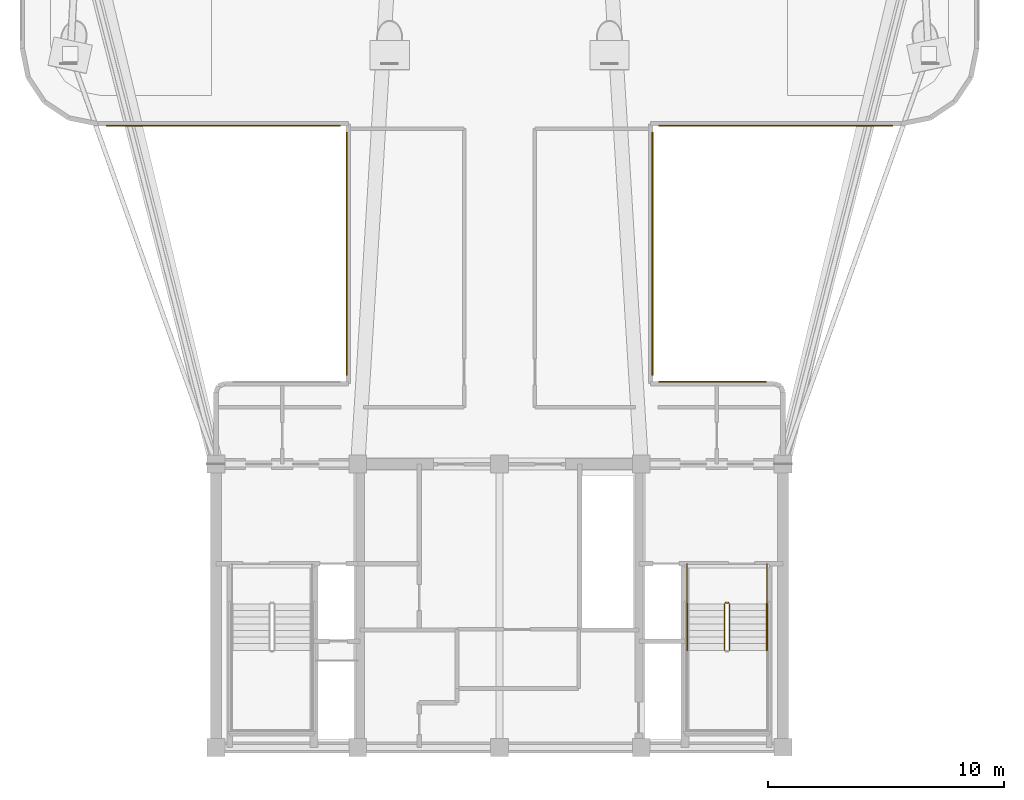
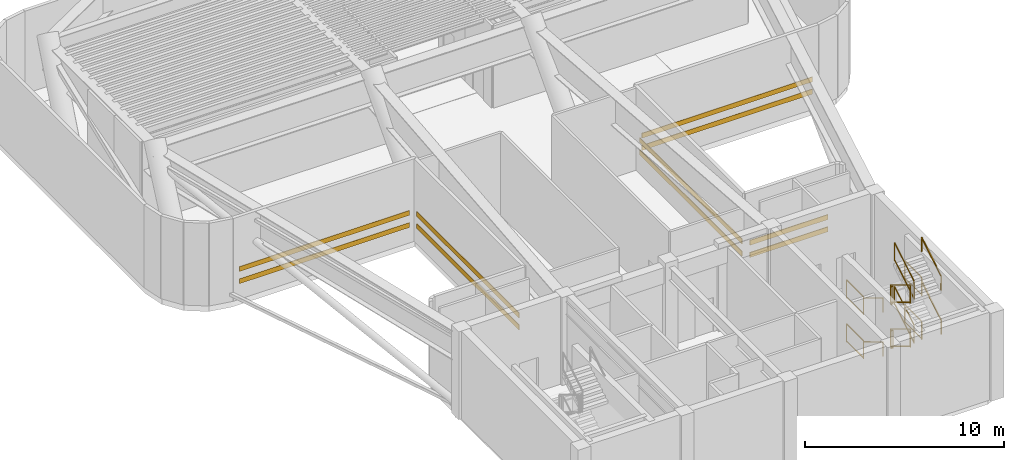
# One storey, part 10 of 11: 14 railings, 10 shading devices.
"""IFC4 building model written with IfcOpenShell, lengths in metres."""

from ifc_helpers import new_model, si_unit, direction, frame, origin, origin_2d, place, context, subcontext, project, spatial, rectangle, extrude, source, transform, mapped, material, layer, layer_set, material_profile, profile_set, type_object, element, save


model = new_model("IFC4")

# Units and contexts
model_context = context("Model", 3, precision=1e-05, world=origin(), true_north=direction((0.0, 1.0)))
body_context = subcontext(model_context, "Body", "Model", "MODEL_VIEW")
ifc_project = project(units=[si_unit("LENGTHUNIT", "METRE"), si_unit("AREAUNIT", "SQUARE_METRE"), si_unit("VOLUMEUNIT", "CUBIC_METRE"), si_unit("PLANEANGLEUNIT", "RADIAN"), si_unit("MASSUNIT", "GRAM", prefix="KILO")], contexts=[model_context])

# Site, building, storey
site_placement = place(None, origin())
site = spatial("IfcSite", under=ifc_project, at=site_placement, CompositionType="ELEMENT")
building_placement = place(site_placement, origin())
building = spatial("IfcBuilding", under=site, at=building_placement, Name="Brelvock Crest Care Tower", CompositionType="ELEMENT")
storey_placement = place(building_placement, frame((0.0, 0.0, 213.1201171875)))
storey = spatial("IfcBuildingStorey", under=building, at=storey_placement, Name="L54", CompositionType="ELEMENT", Elevation=213.1201171875)

# Railings
ifc_material_1 = material(Name="Steel Grade 350", Category="steel")
ifc_layer_1 = layer(ifc_material_1, 0.050048828125, Name="RL-STG1")
ifc_layer_set_1 = layer_set([ifc_layer_1], Name="Steel Grade 350")
railing_type_1 = type_object("IfcRailingType", Name="RL-STG1", PredefinedType="GUARDRAIL", material=ifc_layer_set_1)
railing_1_placement = place(storey_placement, frame((45.52001953125, 12.080078125, 0.168701171875)))
element("IfcRailing", 1, at=railing_1_placement, inside=storey, type_object=railing_type_1, Name="L54 ST-2 stair guard 1", PredefinedType="GUARDRAIL", context=body_context, shape_type="SweptSolid", body=[
    extrude(rectangle(XDim=0.048095703125, YDim=0.048095703125, at=origin_2d()), frame((0.0, -0.001708984375, 1.116943359375), z_axis=(0.0, -0.856493463811, 0.516157869696), x_axis=(1.0, 0.0, 0.0)), (0.0, 0.0, 1.0), 2.284423828125),
    extrude(rectangle(XDim=0.048095703125, YDim=0.048095703125, at=origin_2d()), frame((0.0, -0.001708984375, 0.05615234375), z_axis=(0.0, -0.856493463811, 0.516157869696), x_axis=(1.0, 0.0, 0.0)), (0.0, 0.0, 1.0), 2.284423828125),
    extrude(rectangle(XDim=0.0419921875, YDim=0.0419921875, at=origin_2d()), origin(), (0.0, 0.0, 1.0), 1.08984375),
    extrude(rectangle(XDim=0.0419921875, YDim=0.0419921875, at=origin_2d()), frame((0.0, -1.9599609375, 1.18115234375)), (0.0, 0.0, 1.0), 1.08984375),
])
railing_2_placement = place(storey_placement, frame((45.739990234375, 10.1201171875, 1.5185546875)))
element("IfcRailing", 2, at=railing_2_placement, inside=storey, type_object=railing_type_1, Name="L54 ST-2 stair guard 6", PredefinedType="GUARDRAIL", context=body_context, shape_type="SweptSolid", body=[
    extrude(rectangle(XDim=0.048095703125, YDim=0.048095703125, at=origin_2d()), frame((0.0, 0.001708984375, 1.116943359375), z_axis=(0.0, 0.856446297458, 0.516236127728), x_axis=(-1.0, 0.0, 0.0)), (0.0, 0.0, 1.0), 2.284423828125),
    extrude(rectangle(XDim=0.048095703125, YDim=0.048095703125, at=origin_2d()), frame((0.0, 0.001708984375, 0.05615234375), z_axis=(0.0, 0.856446297458, 0.516236127728), x_axis=(-1.0, 0.0, 0.0)), (0.0, 0.0, 1.0), 2.284423828125),
    extrude(rectangle(XDim=0.0419921875, YDim=0.0419921875, at=origin_2d()), origin(), (0.0, 0.0, 1.0), 1.08984375),
    extrude(rectangle(XDim=0.0419921875, YDim=0.0419921875, at=origin_2d()), frame((0.0, 1.9599609375, 1.181396484375)), (0.0, 0.0, 1.0), 1.08984375),
])
railing_3_placement = place(storey_placement, frame((45.570068359375, 12.1298828125, 2.699951171875)))
element("IfcRailing", 3, at=railing_3_placement, inside=storey, type_object=railing_type_1, Name="L54 ST-2 stair guard 7", PredefinedType="GUARDRAIL", context=body_context, shape_type="SweptSolid", body=[
    extrude(rectangle(XDim=0.048095703125, YDim=0.048095703125, at=origin_2d()), frame((0.001953125, 0.0, 1.11572265625), z_axis=(1.0, 0.0, 0.0), x_axis=(0.0, 1.0, 0.0)), (0.0, 0.0, 1.0), 0.115966796875),
    extrude(rectangle(XDim=0.048095703125, YDim=0.048095703125, at=origin_2d()), frame((0.001953125, 0.0, 0.054931640625), z_axis=(1.0, 0.0, 0.0), x_axis=(0.0, 1.0, 0.0)), (0.0, 0.0, 1.0), 0.115966796875),
    extrude(rectangle(XDim=0.0419921875, YDim=0.0419921875, at=origin_2d()), origin(), (0.0, 0.0, 1.0), 1.08984375),
    extrude(rectangle(XDim=0.0419921875, YDim=0.0419921875, at=origin_2d()), frame((0.119873046875, 0.0, 0.0)), (0.0, 0.0, 1.0), 1.08984375),
])
for number, where, name in (
    (4, (43.93994140625, 13.780029296875, 2.699951171875), "L54 ST-2 stair guard 8"),
    (5, (47.320068359375, 13.780029296875, 2.699951171875), "L54 ST-2 stair guard 9"),
):
    element("IfcRailing", number, at=place(storey_placement, frame(where)), inside=storey, type_object=railing_type_1, Name=name, PredefinedType="GUARDRAIL", context=body_context, shape_type="SweptSolid", body=[
        extrude(rectangle(XDim=0.048095703125, YDim=0.048095703125, at=origin_2d()), frame((0.0, -0.001953125, 1.11572265625), z_axis=(0.0, -1.0, 0.0), x_axis=(1.0, 0.0, 0.0)), (0.0, 0.0, 1.0), 1.696044921875),
        extrude(rectangle(XDim=0.048095703125, YDim=0.048095703125, at=origin_2d()), frame((0.0, -0.001953125, 0.054931640625), z_axis=(0.0, -1.0, 0.0), x_axis=(1.0, 0.0, 0.0)), (0.0, 0.0, 1.0), 1.696044921875),
        extrude(rectangle(XDim=0.0419921875, YDim=0.0419921875, at=origin_2d()), origin(), (0.0, 0.0, 1.0), 1.08984375),
        extrude(rectangle(XDim=0.0419921875, YDim=0.0419921875, at=origin_2d()), frame((0.0, -1.699951171875, 0.0)), (0.0, 0.0, 1.0), 1.08984375),
    ])
railing_4_placement = place(storey_placement, frame((45.52001953125, 12.080078125, 2.86865234375)))
element("IfcRailing", 6, at=railing_4_placement, inside=storey, type_object=railing_type_1, Name="L54 ST-2 stair guard 10", PredefinedType="GUARDRAIL", context=body_context, shape_type="SweptSolid", body=[
    extrude(rectangle(XDim=0.048095703125, YDim=0.048095703125, at=origin_2d()), frame((0.0, -0.001708984375, 1.116943359375), z_axis=(0.0, -0.856493463811, 0.516157869696), x_axis=(1.0, 0.0, 0.0)), (0.0, 0.0, 1.0), 2.284423828125),
    extrude(rectangle(XDim=0.048095703125, YDim=0.048095703125, at=origin_2d()), frame((0.0, -0.001708984375, 0.05615234375), z_axis=(0.0, -0.856493463811, 0.516157869696), x_axis=(1.0, 0.0, 0.0)), (0.0, 0.0, 1.0), 2.284423828125),
    extrude(rectangle(XDim=0.0419921875, YDim=0.0419921875, at=origin_2d()), origin(), (0.0, 0.0, 1.0), 1.08984375),
    extrude(rectangle(XDim=0.0419921875, YDim=0.0419921875, at=origin_2d()), frame((0.0, -1.9599609375, 1.18115234375)), (0.0, 0.0, 1.0), 1.08984375),
])
railing_5_placement = place(storey_placement, frame((45.739990234375, 10.1201171875, 4.21875)))
element("IfcRailing", 7, at=railing_5_placement, inside=storey, type_object=railing_type_1, Name="L54 ST-2 stair guard 15", PredefinedType="GUARDRAIL", context=body_context, shape_type="SweptSolid", body=[
    extrude(rectangle(XDim=0.048095703125, YDim=0.048095703125, at=origin_2d()), frame((0.0, 0.001708984375, 1.116943359375), z_axis=(0.0, 0.856493463811, 0.516157869696), x_axis=(-1.0, 0.0, 0.0)), (0.0, 0.0, 1.0), 2.284423828125),
    extrude(rectangle(XDim=0.048095703125, YDim=0.048095703125, at=origin_2d()), frame((0.0, 0.001708984375, 0.05615234375), z_axis=(0.0, 0.856493463811, 0.516157869696), x_axis=(-1.0, 0.0, 0.0)), (0.0, 0.0, 1.0), 2.284423828125),
    extrude(rectangle(XDim=0.0419921875, YDim=0.0419921875, at=origin_2d()), origin(), (0.0, 0.0, 1.0), 1.08984375),
    extrude(rectangle(XDim=0.0419921875, YDim=0.0419921875, at=origin_2d()), frame((0.0, 1.9599609375, 1.18115234375)), (0.0, 0.0, 1.0), 1.08984375),
])
railing_6_placement = place(storey_placement, frame((45.570068359375, 12.1298828125, 0.0)))
element("IfcRailing", 8, at=railing_6_placement, inside=storey, type_object=railing_type_1, Name="L54 ST-2 stair guard 16", PredefinedType="GUARDRAIL", context=body_context, shape_type="SweptSolid", body=[
    extrude(rectangle(XDim=0.048095703125, YDim=0.048095703125, at=origin_2d()), frame((0.001953125, 0.0, 1.11572265625), z_axis=(1.0, 0.0, 0.0), x_axis=(0.0, 1.0, 0.0)), (0.0, 0.0, 1.0), 0.115966796875),
    extrude(rectangle(XDim=0.048095703125, YDim=0.048095703125, at=origin_2d()), frame((0.001953125, 0.0, 0.054931640625), z_axis=(1.0, 0.0, 0.0), x_axis=(0.0, 1.0, 0.0)), (0.0, 0.0, 1.0), 0.115966796875),
    extrude(rectangle(XDim=0.0419921875, YDim=0.0419921875, at=origin_2d()), origin(), (0.0, 0.0, 1.0), 1.08984375),
    extrude(rectangle(XDim=0.0419921875, YDim=0.0419921875, at=origin_2d()), frame((0.119873046875, 0.0, 0.0)), (0.0, 0.0, 1.0), 1.08984375),
])
for number, where, name in (
    (9, (43.93994140625, 13.780029296875, 0.0), "L54 ST-2 stair guard 17"),
    (10, (47.320068359375, 13.780029296875, 0.0), "L54 ST-2 stair guard 18"),
):
    element("IfcRailing", number, at=place(storey_placement, frame(where)), inside=storey, type_object=railing_type_1, Name=name, PredefinedType="GUARDRAIL", context=body_context, shape_type="SweptSolid", body=[
        extrude(rectangle(XDim=0.048095703125, YDim=0.048095703125, at=origin_2d()), frame((0.0, -0.001953125, 1.11572265625), z_axis=(0.0, -1.0, 0.0), x_axis=(1.0, 0.0, 0.0)), (0.0, 0.0, 1.0), 1.696044921875),
        extrude(rectangle(XDim=0.048095703125, YDim=0.048095703125, at=origin_2d()), frame((0.0, -0.001953125, 0.054931640625), z_axis=(0.0, -1.0, 0.0), x_axis=(1.0, 0.0, 0.0)), (0.0, 0.0, 1.0), 1.696044921875),
        extrude(rectangle(XDim=0.0419921875, YDim=0.0419921875, at=origin_2d()), origin(), (0.0, 0.0, 1.0), 1.08984375),
        extrude(rectangle(XDim=0.0419921875, YDim=0.0419921875, at=origin_2d()), frame((0.0, -1.699951171875, 0.0)), (0.0, 0.0, 1.0), 1.08984375),
    ])
ifc_layer_2 = layer(ifc_material_1, 0.048095703125, Name="RL-STH1")
ifc_layer_set_2 = layer_set([ifc_layer_2], Name="Steel Grade 350")
railing_type_2 = type_object("IfcRailingType", Name="RL-STH1", PredefinedType="HANDRAIL", material=ifc_layer_set_2)
railing_7_placement = place(storey_placement, frame((43.93994140625, 12.080078125, 0.168701171875)))
element("IfcRailing", 11, at=railing_7_placement, inside=storey, type_object=railing_type_2, Name="L54 ST-2 stair handrail 1", PredefinedType="HANDRAIL", context=body_context, shape_type="SweptSolid", body=[
    extrude(rectangle(XDim=0.048095703125, YDim=0.048095703125, at=origin_2d()), frame((0.0, -0.001708984375, 0.876953125), z_axis=(0.0, -0.856493463811, 0.516157869696), x_axis=(1.0, 0.0, 0.0)), (0.0, 0.0, 1.0), 2.284423828125),
    extrude(rectangle(XDim=0.0419921875, YDim=0.0419921875, at=origin_2d()), origin(), (0.0, 0.0, 1.0), 0.849853515625),
    extrude(rectangle(XDim=0.0419921875, YDim=0.0419921875, at=origin_2d()), frame((0.0, -1.9599609375, 1.18115234375)), (0.0, 0.0, 1.0), 0.849853515625),
])
railing_8_placement = place(storey_placement, frame((47.320068359375, 10.1201171875, 1.5185546875)))
element("IfcRailing", 12, at=railing_8_placement, inside=storey, type_object=railing_type_2, Name="L54 ST-2 stair handrail 2", PredefinedType="HANDRAIL", context=body_context, shape_type="SweptSolid", body=[
    extrude(rectangle(XDim=0.048095703125, YDim=0.048095703125, at=origin_2d()), frame((0.0, 0.001708984375, 0.876953125), z_axis=(0.0, 0.856446297458, 0.516236127728), x_axis=(-1.0, 0.0, 0.0)), (0.0, 0.0, 1.0), 2.284423828125),
    extrude(rectangle(XDim=0.0419921875, YDim=0.0419921875, at=origin_2d()), origin(), (0.0, 0.0, 1.0), 0.849853515625),
    extrude(rectangle(XDim=0.0419921875, YDim=0.0419921875, at=origin_2d()), frame((0.0, 1.9599609375, 1.181396484375)), (0.0, 0.0, 1.0), 0.849853515625),
])
railing_9_placement = place(storey_placement, frame((43.93994140625, 12.080078125, 2.86865234375)))
element("IfcRailing", 13, at=railing_9_placement, inside=storey, type_object=railing_type_2, Name="L54 ST-2 stair handrail 3", PredefinedType="HANDRAIL", context=body_context, shape_type="SweptSolid", body=[
    extrude(rectangle(XDim=0.048095703125, YDim=0.048095703125, at=origin_2d()), frame((0.0, -0.001708984375, 0.876953125), z_axis=(0.0, -0.856493463811, 0.516157869696), x_axis=(1.0, 0.0, 0.0)), (0.0, 0.0, 1.0), 2.284423828125),
    extrude(rectangle(XDim=0.0419921875, YDim=0.0419921875, at=origin_2d()), origin(), (0.0, 0.0, 1.0), 0.849853515625),
    extrude(rectangle(XDim=0.0419921875, YDim=0.0419921875, at=origin_2d()), frame((0.0, -1.9599609375, 1.18115234375)), (0.0, 0.0, 1.0), 0.849853515625),
])
railing_10_placement = place(storey_placement, frame((47.320068359375, 10.1201171875, 4.21875)))
element("IfcRailing", 14, at=railing_10_placement, inside=storey, type_object=railing_type_2, Name="L54 ST-2 stair handrail 4", PredefinedType="HANDRAIL", context=body_context, shape_type="SweptSolid", body=[
    extrude(rectangle(XDim=0.048095703125, YDim=0.048095703125, at=origin_2d()), frame((0.0, 0.001708984375, 0.876953125), z_axis=(0.0, 0.856493463811, 0.516157869696), x_axis=(-1.0, 0.0, 0.0)), (0.0, 0.0, 1.0), 2.284423828125),
    extrude(rectangle(XDim=0.0419921875, YDim=0.0419921875, at=origin_2d()), origin(), (0.0, 0.0, 1.0), 0.849853515625),
    extrude(rectangle(XDim=0.0419921875, YDim=0.0419921875, at=origin_2d()), frame((0.0, 1.9599609375, 1.18115234375)), (0.0, 0.0, 1.0), 0.849853515625),
])

# Shading devices
ifc_material_2 = material(Name="Aluminium 6063-T6", Category="aluminium")
ifc_material_profile_1 = material_profile(ifc_material_2, rectangle(XDim=0.044921875, YDim=0.300048828125, at=origin_2d()), Name="LOUVRE45x300")
ifc_profile_set_1 = profile_set([ifc_material_profile_1], Name="Aluminium 6063-T6")
shading_device_type_1 = type_object("IfcShadingDeviceType", Name="SHD-LV1", PredefinedType="JALOUSIE", material=ifc_profile_set_1)
shared_shape_1 = source(origin(), body_context, "Body", "SweptSolid", [
    extrude(rectangle(XDim=0.044921875, YDim=0.300048828125, at=origin_2d()), origin(), (0.0, 0.0, 1.0), 4.550048828125),
])
for number, where, z_axis, x_axis, name in (
    (15, (42.75, 21.47509765625, 1.099853515625), (1.0, 0.0, 0.0), (0.0, 1.0, 0.0), "L54 Crown Acoustic Louvre 46-1"),
    (16, (42.75, 21.47509765625, 1.849853515625), (1.0, 0.0, 0.0), (0.0, 1.0, 0.0), "L54 Crown Acoustic Louvre 46-2"),
):
    element("IfcShadingDevice", number, at=place(storey_placement, frame(where, z_axis=z_axis, x_axis=x_axis)), inside=storey, type_object=shading_device_type_1, Name=name, PredefinedType="JALOUSIE", context=body_context, shape_type="MappedRepresentation", body=[
        mapped(shared_shape_1, transform((0.0, 0.0, 0.0), x_axis=(1.0, 0.0, 0.0), y_axis=(0.0, 1.0, 0.0), z_axis=(0.0, 0.0, 1.0), scale=1.0)),
    ])
ifc_material_profile_2 = material_profile(ifc_material_2, rectangle(XDim=0.044921875, YDim=0.300048828125, at=origin_2d()), Name="LOUVRE45x300")
ifc_profile_set_2 = profile_set([ifc_material_profile_2], Name="Aluminium 6063-T6")
shading_device_type_2 = type_object("IfcShadingDeviceType", Name="SHD-SH1", PredefinedType="SHUTTER", material=ifc_profile_set_2)
shared_shape_2 = source(origin(), body_context, "Body", "SweptSolid", [
    extrude(rectangle(XDim=0.044921875, YDim=0.300048828125, at=origin_2d()), origin(), (0.0, 0.0, 1.0), 10.300048828125),
])
for number, where, z_axis, x_axis, name in (
    (17, (29.52490234375, 21.75, 1.099853515625), (0.0, 1.0, 0.0), (-1.0, 0.0, 0.0), "L54 Crown Acoustic Louvre 11-1"),
    (18, (29.52490234375, 21.75, 1.849853515625), (0.0, 1.0, 0.0), (-1.0, 0.0, 0.0), "L54 Crown Acoustic Louvre 11-2"),
    (19, (42.47509765625, 32.050048828125, 1.099853515625), (0.0, -1.0, 0.0), (1.0, 0.0, 0.0), "L54 Crown Acoustic Louvre 45-1"),
    (20, (42.47509765625, 32.050048828125, 1.849853515625), (0.0, -1.0, 0.0), (1.0, 0.0, 0.0), "L54 Crown Acoustic Louvre 45-2"),
):
    element("IfcShadingDevice", number, at=place(storey_placement, frame(where, z_axis=z_axis, x_axis=x_axis)), inside=storey, type_object=shading_device_type_2, Name=name, PredefinedType="SHUTTER", context=body_context, shape_type="MappedRepresentation", body=[
        mapped(shared_shape_2, transform((0.0, 0.0, 0.0), x_axis=(1.0, 0.0, 0.0), y_axis=(0.0, 1.0, 0.0), z_axis=(0.0, 0.0, 1.0), scale=1.0)),
    ])
shared_shape_3 = source(origin(), body_context, "Body", "SweptSolid", [
    extrude(rectangle(XDim=0.044921875, YDim=0.300048828125, at=origin_2d()), origin(), (0.0, 0.0, 1.0), 9.89990234375),
])
for number, where, z_axis, x_axis, name in (
    (21, (29.25, 32.324951171875, 1.099853515625), (-1.0, 0.0, 0.0), (0.0, -1.0, 0.0), "L54 Crown Acoustic Louvre 12-1"),
    (22, (29.25, 32.324951171875, 1.849853515625), (-1.0, 0.0, 0.0), (0.0, -1.0, 0.0), "L54 Crown Acoustic Louvre 12-2"),
    (23, (52.64990234375, 32.324951171875, 1.099853515625), (-1.0, 0.0, 0.0), (0.0, -1.0, 0.0), "L54 Crown Acoustic Louvre 44-1"),
    (24, (52.64990234375, 32.324951171875, 1.849853515625), (-1.0, 0.0, 0.0), (0.0, -1.0, 0.0), "L54 Crown Acoustic Louvre 44-2"),
):
    element("IfcShadingDevice", number, at=place(storey_placement, frame(where, z_axis=z_axis, x_axis=x_axis)), inside=storey, type_object=shading_device_type_1, Name=name, PredefinedType="JALOUSIE", context=body_context, shape_type="MappedRepresentation", body=[
        mapped(shared_shape_3, transform((0.0, 0.0, 0.0), x_axis=(1.0, 0.0, 0.0), y_axis=(0.0, 1.0, 0.0), z_axis=(0.0, 0.0, 1.0), scale=1.0)),
    ])

save(model, "model.ifc")
